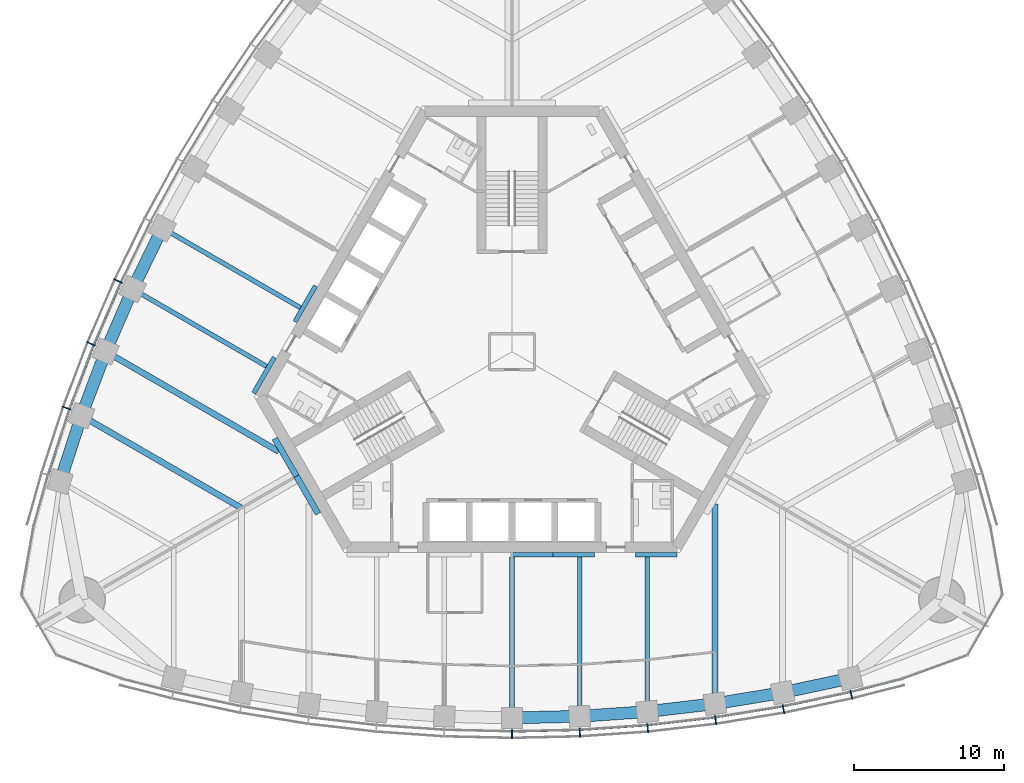
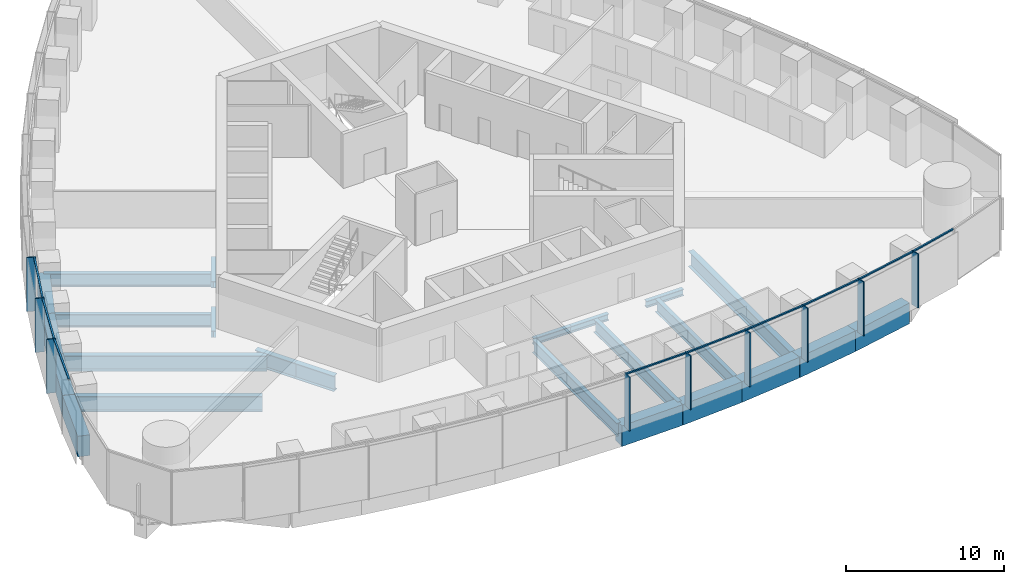
# One storey, part 3 of 18: 24 beams, 18 members, 2 elements without a shape of their own.
"""IFC4 building model written with IfcOpenShell, lengths in metres."""

import ifcopenshell
import ifcopenshell.guid

model = None  # the IFC model being written
_history = None  # IfcOwnerHistory: only IFC2X3 demands one
_inside = {}  # id of a spatial element -> (the spatial element, [elements in it])
_under = {}  # id of a project, library or spatial element -> (it, [spatial elements below it])
_declared = {}  # id of a project -> (the project, [libraries it declares])
_typed = {}  # id of a type object -> (the type object, [elements of that type])
_made_of = {}  # id of a material, layer set ... -> (it, [elements and type objects made of it])


def new_model(schema):
    """Start an empty IFC model of exactly this schema.

    Asked for "IFC4X3", IfcOpenShell would pick the latest addendum, in which some entities
    have other attributes; the version numbers below select the first issue.
    IFC2X3 requires an IfcOwnerHistory on every rooted entity: one is made here for all.
    """
    global model, _history
    if schema == "IFC4X3":
        model = ifcopenshell.file(schema_version=(4, 3, 0, 0))
    else:
        model = ifcopenshell.file(schema=schema)
    _inside.clear()
    _under.clear()
    _declared.clear()
    _typed.clear()
    _made_of.clear()
    _history = None
    if model.schema == "IFC2X3":
        org = make("IfcOrganization", Name="unknown")
        user = make(
            "IfcPersonAndOrganization",
            ThePerson=make("IfcPerson", FamilyName="unknown"),
            TheOrganization=org,
        )
        app = make(
            "IfcApplication",
            ApplicationDeveloper=org,
            Version="unknown",
            ApplicationFullName="unknown",
            ApplicationIdentifier="unknown",
        )
        _history = make(
            "IfcOwnerHistory",
            OwningUser=user,
            OwningApplication=app,
            ChangeAction="ADDED",
            CreationDate=0,
        )
    return model


def make(cls, **values):
    """One entity of the class cls with the attributes given. An attribute that is None is left unset."""
    return model.create_entity(
        cls, **{name: value for name, value in values.items() if value is not None}
    )


def rooted(cls, **values):
    """An entity with a GlobalId (a new one), such as an element, a storey or a relation."""
    return make(cls, GlobalId=ifcopenshell.guid.new(), OwnerHistory=_history, **values)


def si_unit(unit_type, name, prefix=None):
    """IfcSIUnit, for example si_unit("LENGTHUNIT", "METRE", prefix="MILLI")."""
    return make("IfcSIUnit", UnitType=unit_type, Prefix=prefix, Name=name)


def assignment(units):
    """IfcUnitAssignment: the units of a project."""
    return None if units is None else make("IfcUnitAssignment", Units=units)


def point(xyz):
    """IfcCartesianPoint."""
    return None if xyz is None else make("IfcCartesianPoint", Coordinates=xyz)


def direction(xyz):
    """IfcDirection."""
    return None if xyz is None else make("IfcDirection", DirectionRatios=xyz)


def frame(location, z_axis=None, x_axis=None):
    """IfcAxis2Placement3D, a coordinate frame: its origin and axes. An axis left out is left unset."""
    return make(
        "IfcAxis2Placement3D",
        Location=point(location),
        Axis=direction(z_axis),
        RefDirection=direction(x_axis),
    )


def frame_2d(location, x_axis=None):
    """IfcAxis2Placement2D, a coordinate frame in the plane: its origin and x axis."""
    return make(
        "IfcAxis2Placement2D", Location=point(location), RefDirection=direction(x_axis)
    )


def origin():
    """The frame at (0, 0, 0) with its axes left unset."""
    return frame((0.0, 0.0, 0.0))


def origin_2d():
    """The frame at (0, 0) in the plane with its x axis left unset."""
    return frame_2d((0.0, 0.0))


def place(relative_to, where):
    """IfcLocalPlacement: puts the frame where relative to a parent placement (None: the world)."""
    return make(
        "IfcLocalPlacement", PlacementRelTo=relative_to, RelativePlacement=where
    )


def context(
    kind, dimensions, precision=None, world=None, true_north=None, identifier=None
):
    """IfcGeometricRepresentationContext, for example the 3D "Model" context."""
    return make(
        "IfcGeometricRepresentationContext",
        ContextIdentifier=identifier,
        ContextType=kind,
        CoordinateSpaceDimension=dimensions,
        Precision=precision,
        WorldCoordinateSystem=world,
        TrueNorth=true_north,
    )


def subcontext(parent, identifier, kind, view, scale=None):
    """IfcGeometricRepresentationSubContext, for example "Body" below "Model"."""
    return make(
        "IfcGeometricRepresentationSubContext",
        ContextIdentifier=identifier,
        ContextType=kind,
        ParentContext=parent,
        TargetScale=scale,
        TargetView=view,
    )


def project(units=None, contexts=None):
    """IfcProject with its units and contexts."""
    return rooted(
        "IfcProject",
        Name="project",
        RepresentationContexts=contexts,
        UnitsInContext=assignment(units),
    )


def spatial(cls, under=None, at=None, **own):
    """A site, building, storey or space (cls), placed at a placement, below another one or the project."""
    s = rooted(cls, ObjectPlacement=at, **own)
    if under is not None:
        _under.setdefault(under.id(), (under, []))[1].append(s)
    return s


def profile(cls, at=None, kind="AREA", **sizes):
    """A parametric profile (cls). Its sizes go by their IFC names, for example OverallWidth=200.0."""
    return make(cls, ProfileType=kind, Position=at, **sizes)


def rectangle(**sizes):
    """IfcRectangleProfileDef."""
    return profile("IfcRectangleProfileDef", **sizes)


def i_section(**sizes):
    """IfcIShapeProfileDef."""
    return profile("IfcIShapeProfileDef", **sizes)


def extrude(swept, where, along, depth):
    """IfcExtrudedAreaSolid: the profile swept, set in the frame where, extruded along a direction by depth."""
    return make(
        "IfcExtrudedAreaSolid",
        SweptArea=swept,
        Position=where,
        ExtrudedDirection=direction(along),
        Depth=depth,
    )


def shape(context_of_items, identifier, shape_type, items):
    """IfcShapeRepresentation: the items that make up one representation, for example the "Body"."""
    return make(
        "IfcShapeRepresentation",
        ContextOfItems=context_of_items,
        RepresentationIdentifier=identifier,
        RepresentationType=shape_type,
        Items=items,
    )


def material(Name=None, Category=None):
    """IfcMaterial."""
    return make("IfcMaterial", Name=Name, Category=Category)


def material_profile(
    of_material, cross_section, Name=None, Category=None, Priority=None
):
    """IfcMaterialProfile: a cross section and its material."""
    return make(
        "IfcMaterialProfile",
        Name=Name,
        Material=of_material,
        Profile=cross_section,
        Priority=Priority,
        Category=Category,
    )


def profile_set(profiles, Name=None, composite=None):
    """IfcMaterialProfileSet."""
    return make(
        "IfcMaterialProfileSet",
        Name=Name,
        MaterialProfiles=profiles,
        CompositeProfile=composite,
    )


def made_of(thing, what):
    """Note that an element or type object is made of a material, layer set ...; save() writes the relation."""
    if what is not None:
        _made_of.setdefault(what.id(), (what, []))[1].append(thing)
    return thing


def type_object(cls, material=None, **own):
    """A type object (cls), such as IfcWallType, which elements share."""
    return made_of(rooted(cls, **own), material)


def element(
    cls,
    number,
    at=None,
    inside=None,
    cuts=None,
    type_object=None,
    material=None,
    context=None,
    identifier="Body",
    shape_type=None,
    held_by="IfcProductDefinitionShape",
    body=None,
    shapes=None,
    **own,
):
    """One element of the class cls, such as IfcWall. Its Tag is "e" and its number.

    at: its placement. inside: the storey or other place that contains it. cuts: it is an
    opening in that element (IfcRelVoidsElement). A single representation is given by context,
    identifier, shape_type and body (its items); several are given by shapes. held_by: the class
    of the entity that holds the representations. save() writes the other relations.
    """
    e = rooted(cls, Tag="e%d" % number, ObjectPlacement=at, **own)
    if body is not None:
        shapes = [shape(context, identifier, shape_type, body)]
    if shapes is not None:
        e.Representation = make(held_by, Representations=shapes)
    if inside is not None:
        _inside.setdefault(inside.id(), (inside, []))[1].append(e)
    if cuts is not None:
        rooted(
            "IfcRelVoidsElement", RelatingBuildingElement=cuts, RelatedOpeningElement=e
        )
    if type_object is not None:
        _typed.setdefault(type_object.id(), (type_object, []))[1].append(e)
    return made_of(e, material)


def aggregate(whole, parts):
    """IfcRelAggregates: a whole, such as a stair, and the parts it consists of."""
    return rooted("IfcRelAggregates", RelatingObject=whole, RelatedObjects=parts)


def save(model, path):
    """Write the relations noted so far, then the file.

    IfcRelAggregates (storeys below a building ...), IfcRelContainedInSpatialStructure (elements
    in a storey), IfcRelDefinesByType, IfcRelAssociatesMaterial and IfcRelDeclares: one each for
    every whole, place, type object, material and project.
    """
    for whole, parts in _under.values():
        aggregate(whole, parts)
    for where, things in _inside.values():
        rooted(
            "IfcRelContainedInSpatialStructure",
            RelatedElements=things,
            RelatingStructure=where,
        )
    for kind, things in _typed.values():
        rooted("IfcRelDefinesByType", RelatedObjects=things, RelatingType=kind)
    for what, things in _made_of.values():
        rooted("IfcRelAssociatesMaterial", RelatedObjects=things, RelatingMaterial=what)
    for by, libraries in _declared.values():
        rooted("IfcRelDeclares", RelatingContext=by, RelatedDefinitions=libraries)
    model.write(path)


model = new_model("IFC4")

# Units and contexts
model_context = context("Model", 3, precision=1e-05, world=origin(), true_north=direction((0.0, 1.0)))
body_context = subcontext(model_context, "Body", "Model", "MODEL_VIEW")
ifc_project = project(units=[si_unit("LENGTHUNIT", "METRE"), si_unit("AREAUNIT", "SQUARE_METRE"), si_unit("VOLUMEUNIT", "CUBIC_METRE"), si_unit("PLANEANGLEUNIT", "RADIAN"), si_unit("MASSUNIT", "GRAM", prefix="KILO")], contexts=[model_context])

# Site, building, storey
site_placement = place(None, origin())
site = spatial("IfcSite", under=ifc_project, at=site_placement, CompositionType="ELEMENT")
building_placement = place(site_placement, origin())
building = spatial("IfcBuilding", under=site, at=building_placement, Name="Trefoil Bronze Tower", CompositionType="ELEMENT")
storey_placement = place(building_placement, frame((0.0, 0.0, 252.699951171875)))
storey = spatial("IfcBuildingStorey", under=building, at=storey_placement, Name="L58", CompositionType="ELEMENT", Elevation=252.699951171875)

# Curtain wall, members
ifc_material_1 = material(Name="Tinted solar-control glass", Category="glass")
curtain_wall_type = type_object("IfcCurtainWallType", Name="Bronze office curtain wall", PredefinedType="USERDEFINED", material=ifc_material_1)
curtain_wall_1_placement = place(storey_placement, origin())
curtain_wall_1 = element("IfcCurtainWall", 1, at=curtain_wall_1_placement, inside=storey, type_object=curtain_wall_type, Name="CW-A L58 F1", ObjectType="CURTAIN WALL", PredefinedType="USERDEFINED")
ifc_material_2 = material(Name="Bronze-finish aluminium", Category="aluminium")
ifc_material_profile_1 = material_profile(ifc_material_2, rectangle(XDim=0.60009765625, YDim=0.080078125, at=origin_2d()), Name="CW-A mullion")
ifc_profile_set_1 = profile_set([ifc_material_profile_1], Name="Bronze-finish aluminium")
member_type_1 = type_object("IfcMemberType", Name="Bronze office curtain wall mullion", PredefinedType="MULLION", material=ifc_profile_set_1)
member_1_placement = place(storey_placement, frame((0.0, -25.45068359375, 0.0), z_axis=(0.0, 0.0, 1.0), x_axis=(0.0, 1.0, 0.0)))
member_1 = element("IfcMember", 2, at=member_1_placement, type_object=member_type_1, Name="CW-A L58 F1 mullion 7", PredefinedType="MULLION", context=body_context, shape_type="SweptSolid", body=[
    extrude(rectangle(XDim=0.60009765625, YDim=0.080078125, at=origin_2d()), origin(), (0.0, 0.0, 1.0), 4.179931640625),
])
member_2_placement = place(storey_placement, frame((4.513671875, -25.346923828125, 0.0), z_axis=(0.0, 0.0, 1.0), x_axis=(-0.045955542372, 0.998943485952, 0.0)))
member_2 = element("IfcMember", 3, at=member_2_placement, type_object=member_type_1, Name="CW-A L58 F1 mullion 8", PredefinedType="MULLION", context=body_context, shape_type="SweptSolid", body=[
    extrude(rectangle(XDim=0.60009765625, YDim=0.080078125, at=origin_2d()), origin(), (0.0, 0.0, 1.0), 4.179931640625),
])
member_3_placement = place(storey_placement, frame((9.027587890625, -25.03515625, 0.0), z_axis=(0.0, 0.0, 1.0), x_axis=(-0.091911396394, 0.995767189263, 0.0)))
member_3 = element("IfcMember", 4, at=member_3_placement, type_object=member_type_1, Name="CW-A L58 F1 mullion 9", PredefinedType="MULLION", context=body_context, shape_type="SweptSolid", body=[
    extrude(rectangle(XDim=0.60009765625, YDim=0.080078125, at=origin_2d()), origin(), (0.0, 0.0, 1.0), 4.179931640625),
])
member_4_placement = place(storey_placement, frame((13.541259765625, -24.51318359375, 0.0), z_axis=(0.0, 0.0, 1.0), x_axis=(-0.137867887204, 0.990450627582, 0.0)))
member_4 = element("IfcMember", 5, at=member_4_placement, type_object=member_type_1, Name="CW-A L58 F1 mullion 10", PredefinedType="MULLION", context=body_context, shape_type="SweptSolid", body=[
    extrude(rectangle(XDim=0.60009765625, YDim=0.080078125, at=origin_2d()), origin(), (0.0, 0.0, 1.0), 4.179931640625),
])
member_5_placement = place(storey_placement, frame((18.05517578125, -23.77783203125, 0.0), z_axis=(0.0, 0.0, 1.0), x_axis=(-0.183825368167, 0.982958917767, 0.0)))
member_5 = element("IfcMember", 6, at=member_5_placement, type_object=member_type_1, Name="CW-A L58 F1 mullion 11", PredefinedType="MULLION", context=body_context, shape_type="SweptSolid", body=[
    extrude(rectangle(XDim=0.60009765625, YDim=0.080078125, at=origin_2d()), origin(), (0.0, 0.0, 1.0), 4.179931640625),
])
member_6_placement = place(storey_placement, frame((22.568115234375, -22.82421875, 0.0), z_axis=(0.0, 0.0, 1.0), x_axis=(-0.227082662569, 0.973875487093, 0.0)))
member_6 = element("IfcMember", 7, at=member_6_placement, type_object=member_type_1, Name="CW-A L58 F1 mullion 12", PredefinedType="MULLION", context=body_context, shape_type="SweptSolid", body=[
    extrude(rectangle(XDim=0.60009765625, YDim=0.080078125, at=origin_2d()), origin(), (0.0, 0.0, 1.0), 4.179931640625),
])

curtain_wall_2_placement = place(storey_placement, origin())
curtain_wall_2 = element("IfcCurtainWall", 8, at=curtain_wall_2_placement, inside=storey, type_object=curtain_wall_type, Name="CW-A L58 F3", ObjectType="CURTAIN WALL", PredefinedType="USERDEFINED")
member_7_placement = place(storey_placement, frame((-26.19482421875, 4.699462890625, 0.0), z_axis=(0.0, 0.0, 1.0), x_axis=(0.908315380354, -0.418285990457, 0.0)))
member_7 = element("IfcMember", 9, at=member_7_placement, type_object=member_type_1, Name="CW-A L58 F3 mullion 9", PredefinedType="MULLION", context=body_context, shape_type="SweptSolid", body=[
    extrude(rectangle(XDim=0.60009765625, YDim=0.080078125, at=origin_2d()), origin(), (0.0, 0.0, 1.0), 4.179931640625),
])
member_8_placement = place(storey_placement, frame((-27.999755859375, 0.529541015625, 0.0), z_axis=(0.0, 0.0, 1.0), x_axis=(0.926689348282, -0.375828221106, 0.0)))
member_8 = element("IfcMember", 10, at=member_8_placement, type_object=member_type_1, Name="CW-A L58 F3 mullion 10", PredefinedType="MULLION", context=body_context, shape_type="SweptSolid", body=[
    extrude(rectangle(XDim=0.60009765625, YDim=0.080078125, at=origin_2d()), origin(), (0.0, 0.0, 1.0), 4.179931640625),
])
member_9_placement = place(storey_placement, frame((-29.619873046875, -3.747314453125, 0.0), z_axis=(0.0, 0.0, 1.0), x_axis=(0.943180077746, -0.332282020191, 0.0)))
member_9 = element("IfcMember", 11, at=member_9_placement, type_object=member_type_1, Name="CW-A L58 F3 mullion 11", PredefinedType="MULLION", context=body_context, shape_type="SweptSolid", body=[
    extrude(rectangle(XDim=0.60009765625, YDim=0.080078125, at=origin_2d()), origin(), (0.0, 0.0, 1.0), 4.179931640625),
])

# Member
ifc_material_3 = material(Name="Bronze-finish aluminium", Category="aluminium")
ifc_material_profile_2 = material_profile(ifc_material_3, rectangle(XDim=0.1201171875, YDim=0.10009765625, at=origin_2d()), Name="CW-A transom")
ifc_profile_set_2 = profile_set([ifc_material_profile_2], Name="Bronze-finish aluminium")
member_type_2 = type_object("IfcMemberType", Name="Bronze office curtain wall transom", PredefinedType="USERDEFINED", material=ifc_profile_set_2)
member_10_placement = place(storey_placement, frame((0.042236328125, -25.249755859375, 4.130126953125), z_axis=(0.999736131416, 0.022971015226, 0.0), x_axis=(-0.022971015226, 0.999736131416, 0.0)))
member_10 = element("IfcMember", 12, at=member_10_placement, type_object=member_type_2, Name="CW-A L58 F1 transom 7", ObjectType="TRANSOM", PredefinedType="USERDEFINED", context=body_context, shape_type="SweptSolid", body=[
    extrude(rectangle(XDim=0.1201171875, YDim=0.10009765625, at=origin_2d()), origin(), (0.0, 0.0, 1.0), 4.42138671875),
])

member_11_placement = place(storey_placement, frame((4.546875, -25.144287109375, 4.130126953125), z_axis=(0.997621320987, 0.06893257512, 0.0), x_axis=(-0.06893257512, 0.997621320987, 0.0)))
member_11 = element("IfcMember", 13, at=member_11_placement, type_object=member_type_2, Name="CW-A L58 F1 transom 8", ObjectType="TRANSOM", PredefinedType="USERDEFINED", context=body_context, shape_type="SweptSolid", body=[
    extrude(rectangle(XDim=0.1201171875, YDim=0.10009765625, at=origin_2d()), origin(), (0.0, 0.0, 1.0), 4.4306640625),
])

member_12_placement = place(storey_placement, frame((9.05126953125, -24.8310546875, 4.130126953125), z_axis=(0.993384885596, 0.114832352013, 0.0), x_axis=(-0.114832352013, 0.993384885596, 0.0)))
member_12 = element("IfcMember", 14, at=member_12_placement, type_object=member_type_2, Name="CW-A L58 F1 transom 9", ObjectType="TRANSOM", PredefinedType="USERDEFINED", context=body_context, shape_type="SweptSolid", body=[
    extrude(rectangle(XDim=0.1201171875, YDim=0.10009765625, at=origin_2d()), origin(), (0.0, 0.0, 1.0), 4.449951171875),
])

member_13_placement = place(storey_placement, frame((13.5556640625, -24.308349609375, 4.130126953125), z_axis=(0.986988367046, 0.160791676761, 0.0), x_axis=(-0.160791676761, 0.986988367046, 0.0)))
member_13 = element("IfcMember", 15, at=member_13_placement, type_object=member_type_2, Name="CW-A L58 F1 transom 10", ObjectType="TRANSOM", PredefinedType="USERDEFINED", context=body_context, shape_type="SweptSolid", body=[
    extrude(rectangle(XDim=0.1201171875, YDim=0.10009765625, at=origin_2d()), origin(), (0.0, 0.0, 1.0), 4.479248046875),
])

member_14_placement = place(storey_placement, frame((18.059814453125, -23.572509765625, 4.130126953125), z_axis=(0.978395325657, 0.20674280334, 0.0), x_axis=(-0.20674280334, 0.978395325657, 0.0)))
member_14 = element("IfcMember", 16, at=member_14_placement, type_object=member_type_2, Name="CW-A L58 F1 transom 11", ObjectType="TRANSOM", PredefinedType="USERDEFINED", context=body_context, shape_type="SweptSolid", body=[
    extrude(rectangle(XDim=0.1201171875, YDim=0.10009765625, at=origin_2d()), origin(), (0.0, 0.0, 1.0), 4.519287109375),
])

member_15_placement = place(storey_placement, frame((22.5634765625, -22.618896484375, 4.130126953125), z_axis=(0.968935220916, 0.247314653162, 0.0), x_axis=(-0.247314653162, 0.968935220916, 0.0)))
member_15 = element("IfcMember", 17, at=member_15_placement, type_object=member_type_2, Name="CW-A L58 F1 transom 12", ObjectType="TRANSOM", PredefinedType="USERDEFINED", context=body_context, shape_type="SweptSolid", body=[
    extrude(rectangle(XDim=0.1201171875, YDim=0.10009765625, at=origin_2d()), origin(), (0.0, 0.0, 1.0), 3.483642578125),
])

aggregate(curtain_wall_1, [member_1, member_2, member_3, member_4, member_5, member_6, member_10, member_11, member_12, member_13, member_14, member_15])

member_16_placement = place(storey_placement, frame((-26.030029296875, 4.576904296875, 4.130126953125), z_axis=(-0.397220936772, -0.917723012346, 0.0), x_axis=(0.917723012346, -0.397220936772, 0.0)))
member_16 = element("IfcMember", 18, at=member_16_placement, type_object=member_type_2, Name="CW-A L58 F3 transom 9", ObjectType="TRANSOM", PredefinedType="USERDEFINED", context=body_context, shape_type="SweptSolid", body=[
    extrude(rectangle(XDim=0.1201171875, YDim=0.10009765625, at=origin_2d()), origin(), (0.0, 0.0, 1.0), 4.449951171875),
])

member_17_placement = place(storey_placement, frame((-27.829345703125, 0.414794921875, 4.130126953125), z_axis=(-0.354263170896, -0.935145767112, 0.0), x_axis=(0.935145767112, -0.354263170896, 0.0)))
member_17 = element("IfcMember", 19, at=member_17_placement, type_object=member_type_2, Name="CW-A L58 F3 transom 10", ObjectType="TRANSOM", PredefinedType="USERDEFINED", context=body_context, shape_type="SweptSolid", body=[
    extrude(rectangle(XDim=0.1201171875, YDim=0.10009765625, at=origin_2d()), origin(), (0.0, 0.0, 1.0), 4.4794921875),
])

member_18_placement = place(storey_placement, frame((-29.4443359375, -3.85400390625, 4.130126953125), z_axis=(-0.310127806788, -0.950694874004, 0.0), x_axis=(0.950694874004, -0.310127806788, 0.0)))
member_18 = element("IfcMember", 20, at=member_18_placement, type_object=member_type_2, Name="CW-A L58 F3 transom 11", ObjectType="TRANSOM", PredefinedType="USERDEFINED", context=body_context, shape_type="SweptSolid", body=[
    extrude(rectangle(XDim=0.1201171875, YDim=0.10009765625, at=origin_2d()), origin(), (0.0, 0.0, 1.0), 4.51953125),
])

aggregate(curtain_wall_2, [member_7, member_8, member_9, member_16, member_17, member_18])

# Beams
ifc_material_4 = material(Name="Steel C355", Category="steel")
ifc_material_profile_3 = material_profile(ifc_material_4, i_section(OverallWidth=0.300048828125, OverallDepth=0.5, WebThickness=0.014404296875, FlangeThickness=0.028076171875, FilletRadius=0.027099609375, at=origin_2d()), Name="HEB 500")
ifc_profile_set_3 = profile_set([ifc_material_profile_3], Name="Steel C355")
beam_type_1 = type_object("IfcBeamType", Name="Core seat beam HEB 500", PredefinedType="BEAM", material=ifc_profile_set_3)
for number, where, z_axis, x_axis, name in (
    (21, (0.0, -13.5, -0.449951171875), (1.0, 0.0, 0.0), (0.0, 1.0, 0.0), "Core seat beam F1/+0 L58"),
    (22, (2.742431640625, -13.5, -0.449951171875), (1.0, 0.0, 0.0), (0.0, 1.0, 0.0), "Core seat beam F1/+1 L58"),
    (23, (8.227294921875, -13.5, -0.449951171875), (1.0, 0.0, 0.0), (0.0, 1.0, 0.0), "Core seat beam F1/+2 L58"),
    (24, (-13.0625, 4.375, -0.449951171875), (-0.500035825175, -0.866004719122, 0.0), (0.866004719122, -0.500035825175, 0.0), "Core seat beam F3/+1 L58"),
    (25, (-15.804931640625, -0.375, -0.449951171875), (-0.500035825175, -0.866004719122, 0.0), (0.866004719122, -0.500035825175, 0.0), "Core seat beam F3/+2 L58"),
):
    element("IfcBeam", number, at=place(storey_placement, frame(where, z_axis=z_axis, x_axis=x_axis)), inside=storey, type_object=beam_type_1, Name=name, PredefinedType="BEAM", context=body_context, shape_type="SweptSolid", body=[
        extrude(i_section(OverallWidth=0.300048828125, OverallDepth=0.5, WebThickness=0.014404296875, FlangeThickness=0.028076171875, FilletRadius=0.027099609375, at=origin_2d()), origin(), (0.0, 0.0, 1.0), 2.742431640625),
    ])
ifc_material_5 = material(Name="Steel C355", Category="steel")
ifc_material_profile_4 = material_profile(ifc_material_5, i_section(OverallWidth=0.39990234375, OverallDepth=1.199951171875, WebThickness=0.02001953125, FlangeThickness=0.0400390625, FilletRadius=0.010009765625, at=origin_2d()), Name="WPG 1200")
ifc_profile_set_4 = profile_set([ifc_material_profile_4], Name="Steel C355")
beam_type_2 = type_object("IfcBeamType", Name="Core seat beam WPG 1200", PredefinedType="BEAM", material=ifc_profile_set_4)
for number, where, z_axis, x_axis, name in (
    (26, (-14.332763671875, -8.27490234375, -0.800048828125), (0.499995765644, -0.866027848477, 0.0), (0.866027848477, 0.499995765644, 0.0), "Core seat beam F1/-3 L58"),
    (27, (-15.776123046875, -5.77490234375, -0.800048828125), (0.499995765644, -0.866027848477, 0.0), (0.866027848477, 0.499995765644, 0.0), "Core seat beam F3/+3 L58"),
):
    element("IfcBeam", number, at=place(storey_placement, frame(where, z_axis=z_axis, x_axis=x_axis)), inside=storey, type_object=beam_type_2, Name=name, PredefinedType="BEAM", context=body_context, shape_type="SweptSolid", body=[
        extrude(i_section(OverallWidth=0.39990234375, OverallDepth=1.199951171875, WebThickness=0.02001953125, FlangeThickness=0.0400390625, FilletRadius=0.010009765625, at=origin_2d()), origin(), (0.0, 0.0, 1.0), 2.88671875),
    ])
ifc_material_6 = material(Name="Steel C355", Category="steel")
ifc_material_profile_5 = material_profile(ifc_material_6, i_section(OverallWidth=0.300048828125, OverallDepth=1.0, WebThickness=0.01904296875, FlangeThickness=0.035888671875, FilletRadius=0.030029296875, at=origin_2d()), Name="HEB 1000")
ifc_profile_set_5 = profile_set([ifc_material_profile_5], Name="Steel C355")
beam_type_3 = type_object("IfcBeamType", Name="Floor beam HEB 1000", PredefinedType="BEAM", material=ifc_profile_set_5)
for number, where, z_axis, x_axis, name in (
    (28, (9.0, -23.932861328125, -0.699951171875), (0.0, 1.0, 0.0), (-1.0, 0.0, 0.0), "Floor beam F1/+2 L58"),
    (29, (-25.2265625, 4.17236328125, -0.699951171875), (0.866019527493, -0.500010177898, 0.0), (0.500010177898, 0.866019527493, 0.0), "Floor beam F3/+2 L58"),
):
    element("IfcBeam", number, at=place(storey_placement, frame(where, z_axis=z_axis, x_axis=x_axis)), inside=storey, type_object=beam_type_3, Name=name, PredefinedType="BEAM", context=body_context, shape_type="SweptSolid", body=[
        extrude(i_section(OverallWidth=0.300048828125, OverallDepth=1.0, WebThickness=0.01904296875, FlangeThickness=0.035888671875, FilletRadius=0.030029296875, at=origin_2d()), origin(), (0.0, 0.0, 1.0), 10.282958984375),
    ])
ifc_material_7 = material(Name="Steel C355", Category="steel")
ifc_material_profile_6 = material_profile(ifc_material_7, i_section(OverallWidth=0.302001953125, OverallDepth=1.008056640625, WebThickness=0.02099609375, FlangeThickness=0.0400390625, FilletRadius=0.030029296875, at=origin_2d()), Name="HEM 1000")
ifc_profile_set_6 = profile_set([ifc_material_profile_6], Name="Steel C355")
beam_type_4 = type_object("IfcBeamType", Name="Floor beam HEM 1000", PredefinedType="BEAM", material=ifc_profile_set_6)
beam_1_placement = place(storey_placement, frame((0.0, -24.3505859375, -0.703857421875), z_axis=(0.0, 1.0, 0.0), x_axis=(-1.0, 0.0, 0.0)))
element("IfcBeam", 30, at=beam_1_placement, inside=storey, type_object=beam_type_4, Name="Floor beam F1/+0 L58", PredefinedType="BEAM", context=body_context, shape_type="SweptSolid", body=[
    extrude(i_section(OverallWidth=0.302001953125, OverallDepth=1.008056640625, WebThickness=0.02099609375, FlangeThickness=0.0400390625, FilletRadius=0.030029296875, at=origin_2d()), origin(), (0.0, 0.0, 1.0), 10.70068359375),
])
for number, where, z_axis, x_axis, name in (
    (31, (4.5, -24.246337890625, -0.703857421875), (0.0, 1.0, 0.0), (-1.0, 0.0, 0.0), "Floor beam F1/+1 L58"),
    (32, (-23.248046875, 8.22607421875, -0.703857421875), (0.86602981261, -0.499992363612, 0.0), (0.499992363612, 0.86602981261, 0.0), "Floor beam F3/+1 L58"),
):
    element("IfcBeam", number, at=place(storey_placement, frame(where, z_axis=z_axis, x_axis=x_axis)), inside=storey, type_object=beam_type_4, Name=name, PredefinedType="BEAM", context=body_context, shape_type="SweptSolid", body=[
        extrude(i_section(OverallWidth=0.302001953125, OverallDepth=1.008056640625, WebThickness=0.02099609375, FlangeThickness=0.0400390625, FilletRadius=0.030029296875, at=origin_2d()), origin(), (0.0, 0.0, 1.0), 10.596435546875),
    ])
ifc_material_8 = material(Name="Steel C355", Category="steel")
ifc_material_profile_7 = material_profile(ifc_material_8, i_section(OverallWidth=0.39990234375, OverallDepth=1.199951171875, WebThickness=0.02001953125, FlangeThickness=0.0400390625, FilletRadius=0.010009765625, at=origin_2d()), Name="WPG 1200")
ifc_profile_set_7 = profile_set([ifc_material_profile_7], Name="Steel C355")
beam_type_5 = type_object("IfcBeamType", Name="Floor beam WPG 1200", PredefinedType="BEAM", material=ifc_profile_set_7)
for number, where, z_axis, x_axis, name in (
    (33, (13.5, -23.408447265625, -0.800048828125), (0.0, 1.0, 0.0), (-1.0, 0.0, 0.0), "Floor beam F1/+3 L58"),
    (34, (-27.022216796875, 0.012939453125, -0.800048828125), (0.866023461342, -0.500003364394, 0.0), (0.500003364394, 0.866023461342, 0.0), "Floor beam F3/+3 L58"),
):
    element("IfcBeam", number, at=place(storey_placement, frame(where, z_axis=z_axis, x_axis=x_axis)), inside=storey, type_object=beam_type_5, Name=name, PredefinedType="BEAM", context=body_context, shape_type="SweptSolid", body=[
        extrude(i_section(OverallWidth=0.39990234375, OverallDepth=1.199951171875, WebThickness=0.02001953125, FlangeThickness=0.0400390625, FilletRadius=0.010009765625, at=origin_2d()), origin(), (0.0, 0.0, 1.0), 13.291015625),
    ])
beam_2_placement = place(storey_placement, frame((-28.632080078125, -4.25390625, -0.800048828125), z_axis=(0.866025635187, -0.499999599199, 0.0), x_axis=(0.499999599199, 0.866025635187, 0.0)))
element("IfcBeam", 35, at=beam_2_placement, inside=storey, type_object=beam_type_5, Name="Floor beam F3/+4 L58", PredefinedType="BEAM", context=body_context, shape_type="SweptSolid", body=[
    extrude(i_section(OverallWidth=0.39990234375, OverallDepth=1.199951171875, WebThickness=0.02001953125, FlangeThickness=0.0400390625, FilletRadius=0.010009765625, at=origin_2d()), origin(), (0.0, 0.0, 1.0), 12.27685546875),
])
ifc_material_9 = material(Name="Concrete B80", Category="concrete")
ifc_material_profile_8 = material_profile(ifc_material_9, rectangle(XDim=0.800048828125, YDim=1.60009765625, at=origin_2d()), Name="RC 800x1600")
ifc_profile_set_8 = profile_set([ifc_material_profile_8], Name="Concrete B80")
beam_type_6 = type_object("IfcBeamType", Name="Spandrel beam RC 800x1600", PredefinedType="SPANDREL", material=ifc_profile_set_8)
beam_3_placement = place(storey_placement, frame((0.0, -24.3505859375, -1.0), z_axis=(0.999731770792, 0.023160018779, 0.0), x_axis=(-0.023160018779, 0.999731770792, 0.0)))
element("IfcBeam", 36, at=beam_3_placement, inside=storey, type_object=beam_type_6, Name="Spandrel F1.7 L58", PredefinedType="SPANDREL", context=body_context, shape_type="SweptSolid", body=[
    extrude(rectangle(XDim=0.800048828125, YDim=1.60009765625, at=origin_2d()), origin(), (0.0, 0.0, 1.0), 4.501220703125),
])
beam_4_placement = place(storey_placement, frame((4.5, -24.246337890625, -1.0), z_axis=(0.997582435881, 0.069493047291, 0.0), x_axis=(-0.069493047291, 0.997582435881, 0.0)))
element("IfcBeam", 37, at=beam_4_placement, inside=storey, type_object=beam_type_6, Name="Spandrel F1.8 L58", PredefinedType="SPANDREL", context=body_context, shape_type="SweptSolid", body=[
    extrude(rectangle(XDim=0.800048828125, YDim=1.60009765625, at=origin_2d()), origin(), (0.0, 0.0, 1.0), 4.510986328125),
])
beam_5_placement = place(storey_placement, frame((9.0, -23.932861328125, -1.0), z_axis=(0.993278017132, 0.115753102257, 0.0), x_axis=(-0.115753102257, 0.993278017132, 0.0)))
element("IfcBeam", 38, at=beam_5_placement, inside=storey, type_object=beam_type_6, Name="Spandrel F1.9 L58", PredefinedType="SPANDREL", context=body_context, shape_type="SweptSolid", body=[
    extrude(rectangle(XDim=0.800048828125, YDim=1.60009765625, at=origin_2d()), origin(), (0.0, 0.0, 1.0), 4.530517578125),
])
beam_6_placement = place(storey_placement, frame((13.5, -23.408447265625, -1.0), z_axis=(0.986764681833, 0.162158757664, 0.0), x_axis=(-0.162158757664, 0.986764681833, 0.0)))
element("IfcBeam", 39, at=beam_6_placement, inside=storey, type_object=beam_type_6, Name="Spandrel F1.10 L58", PredefinedType="SPANDREL", context=body_context, shape_type="SweptSolid", body=[
    extrude(rectangle(XDim=0.800048828125, YDim=1.60009765625, at=origin_2d()), origin(), (0.0, 0.0, 1.0), 4.560302734375),
])
beam_7_placement = place(storey_placement, frame((18.0, -22.6689453125, -1.0), z_axis=(0.978059483036, 0.208325820877, 0.0), x_axis=(-0.208325820877, 0.978059483036, 0.0)))
element("IfcBeam", 40, at=beam_7_placement, inside=storey, type_object=beam_type_6, Name="Spandrel F1.11 L58", PredefinedType="SPANDREL", context=body_context, shape_type="SweptSolid", body=[
    extrude(rectangle(XDim=0.800048828125, YDim=1.60009765625, at=origin_2d()), origin(), (0.0, 0.0, 1.0), 4.600830078125),
])
beam_8_placement = place(storey_placement, frame((-23.248046875, 8.22607421875, -1.0), z_axis=(-0.438619830351, -0.898672712629, 0.0), x_axis=(0.898672712629, -0.438619830351, 0.0)))
element("IfcBeam", 41, at=beam_8_placement, inside=storey, type_object=beam_type_6, Name="Spandrel F3.8 L58", PredefinedType="SPANDREL", context=body_context, shape_type="SweptSolid", body=[
    extrude(rectangle(XDim=0.800048828125, YDim=1.60009765625, at=origin_2d()), origin(), (0.0, 0.0, 1.0), 4.5107421875),
])
beam_9_placement = place(storey_placement, frame((-25.2265625, 4.17236328125, -1.0), z_axis=(-0.396350337164, -0.918099346602, 0.0), x_axis=(0.918099346602, -0.396350337164, 0.0)))
element("IfcBeam", 42, at=beam_9_placement, inside=storey, type_object=beam_type_6, Name="Spandrel F3.9 L58", PredefinedType="SPANDREL", context=body_context, shape_type="SweptSolid", body=[
    extrude(rectangle(XDim=0.800048828125, YDim=1.60009765625, at=origin_2d()), origin(), (0.0, 0.0, 1.0), 4.530517578125),
])
beam_10_placement = place(storey_placement, frame((-27.022216796875, 0.012939453125, -1.0), z_axis=(-0.353005969632, -0.935621069346, 0.0), x_axis=(0.935621069346, -0.353005969632, 0.0)))
element("IfcBeam", 43, at=beam_10_placement, inside=storey, type_object=beam_type_6, Name="Spandrel F3.10 L58", PredefinedType="SPANDREL", context=body_context, shape_type="SweptSolid", body=[
    extrude(rectangle(XDim=0.800048828125, YDim=1.60009765625, at=origin_2d()), origin(), (0.0, 0.0, 1.0), 4.560546875),
])
beam_11_placement = place(storey_placement, frame((-28.632080078125, -4.25390625, -1.0), z_axis=(-0.308608505504, -0.951189145402, 0.0), x_axis=(0.951189145402, -0.308608505504, 0.0)))
element("IfcBeam", 44, at=beam_11_placement, inside=storey, type_object=beam_type_6, Name="Spandrel F3.11 L58", PredefinedType="SPANDREL", context=body_context, shape_type="SweptSolid", body=[
    extrude(rectangle(XDim=0.800048828125, YDim=1.60009765625, at=origin_2d()), origin(), (0.0, 0.0, 1.0), 4.60107421875),
])

save(model, "model.ifc")
